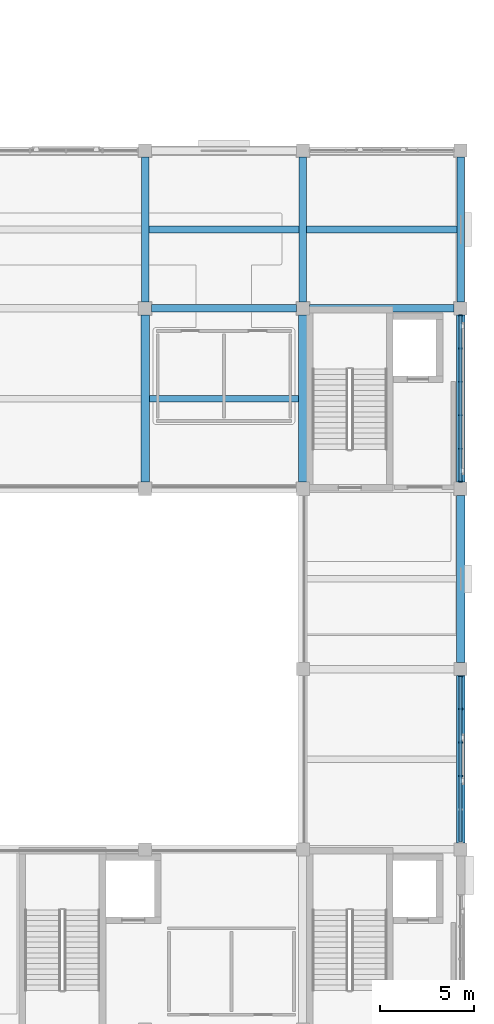
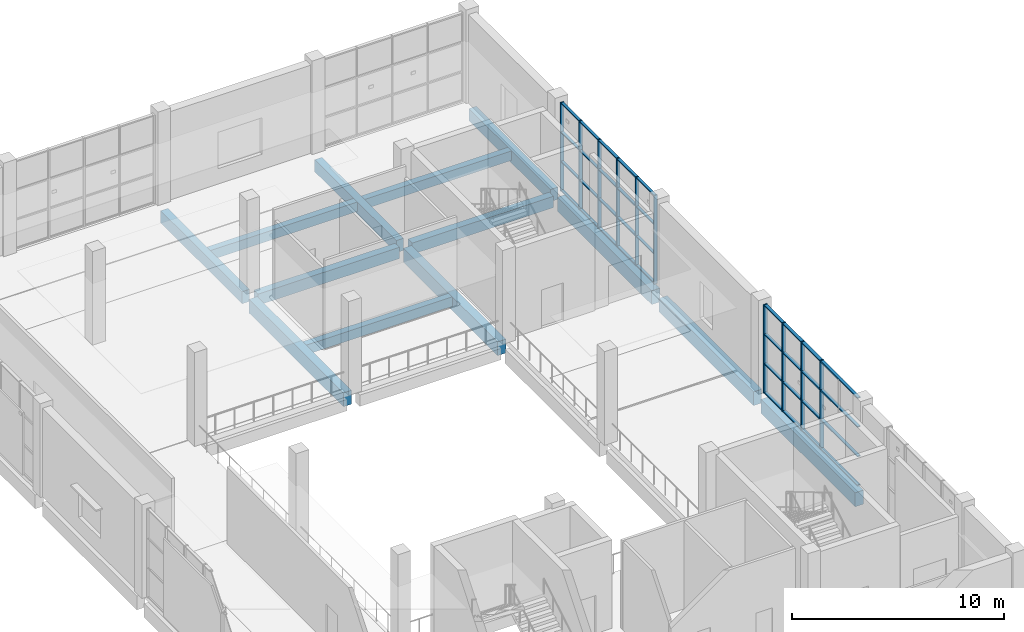
# One storey, part 31 of 72: 18 members, 13 beams, 2 elements without a shape of their own.
"""IFC4 building model written with IfcOpenShell, lengths in metres."""

from ifc_helpers import new_model, si_unit, direction, frame, origin, origin_2d, place, context, subcontext, project, spatial, rectangle, extrude, material, material_profile, profile_set, type_object, element, aggregate, save


model = new_model("IFC4")

# Units and contexts
model_context = context("Model", 3, precision=1e-05, world=origin(), true_north=direction((0.0, 1.0)))
body_context = subcontext(model_context, "Body", "Model", "MODEL_VIEW")
ifc_project = project(units=[si_unit("LENGTHUNIT", "METRE"), si_unit("AREAUNIT", "SQUARE_METRE"), si_unit("VOLUMEUNIT", "CUBIC_METRE"), si_unit("PLANEANGLEUNIT", "RADIAN"), si_unit("MASSUNIT", "GRAM", prefix="KILO")], contexts=[model_context])

# Site, building, storey
site_placement = place(None, origin())
site = spatial("IfcSite", under=ifc_project, at=site_placement, CompositionType="ELEMENT")
building_placement = place(site_placement, origin())
building = spatial("IfcBuilding", under=site, at=building_placement, Name="Shalvenor Court Art Gallery", CompositionType="ELEMENT")
storey_placement = place(building_placement, frame((0.0, 0.0, 11.39990234375)))
storey = spatial("IfcBuildingStorey", under=building, at=storey_placement, Name="L02", CompositionType="ELEMENT", Elevation=11.39990234375)

# Beams
ifc_material_1 = material(Name="Concrete C40/50", Category="concrete")
ifc_material_profile_1 = material_profile(ifc_material_1, rectangle(XDim=0.449951171875, YDim=0.800048828125, at=origin_2d()), Name="RC 450x800")
ifc_profile_set_1 = profile_set([ifc_material_profile_1], Name="Concrete C40/50")
beam_type_1 = type_object("IfcBeamType", Name="B-03", PredefinedType="BEAM", material=ifc_profile_set_1)
for number, where, z_axis, x_axis, name in (
    (1, (159.60009765625, 79.550048828125, -0.719970703125), (0.0, 1.0, 0.0), (-1.0, 0.0, 0.0), "L02 Girder BM-L02-B-03-0783"),
    (2, (168.0, 79.550048828125, -0.719970703125), (0.0, 1.0, 0.0), (-1.0, 0.0, 0.0), "L02 Girder BM-L02-B-03-0789"),
    (3, (176.39990234375, 60.35009765625, -0.719970703125), (0.0, 1.0, 0.0), (-1.0, 0.0, 0.0), "L02 Girder BM-L02-B-03-0793"),
):
    element("IfcBeam", number, at=place(storey_placement, frame(where, z_axis=z_axis, x_axis=x_axis)), inside=storey, type_object=beam_type_1, Name=name, PredefinedType="BEAM", context=body_context, shape_type="SweptSolid", body=[
        extrude(rectangle(XDim=0.449951171875, YDim=0.800048828125, at=origin_2d()), origin(), (0.0, 0.0, 1.0), 8.89990234375),
    ])
beam_1_placement = place(storey_placement, frame((176.39990234375, 69.949951171875, -0.719970703125), z_axis=(0.0, 1.0, 0.0), x_axis=(-1.0, 0.0, 0.0)))
element("IfcBeam", 4, at=beam_1_placement, inside=storey, type_object=beam_type_1, Name="L02 Girder BM-L02-B-03-0794", PredefinedType="BEAM", context=body_context, shape_type="SweptSolid", body=[
    extrude(rectangle(XDim=0.449951171875, YDim=0.800048828125, at=origin_2d()), origin(), (0.0, 0.0, 1.0), 8.900146484375),
])
beam_2_placement = place(storey_placement, frame((176.39990234375, 79.550048828125, -0.719970703125), z_axis=(0.0, 1.0, 0.0), x_axis=(-1.0, 0.0, 0.0)))
element("IfcBeam", 5, at=beam_2_placement, inside=storey, type_object=beam_type_1, Name="L02 Girder BM-L02-B-03-0795", PredefinedType="BEAM", context=body_context, shape_type="SweptSolid", body=[
    extrude(rectangle(XDim=0.449951171875, YDim=0.800048828125, at=origin_2d()), origin(), (0.0, 0.0, 1.0), 8.89990234375),
])
ifc_material_2 = material(Name="Concrete C40/50", Category="concrete")
ifc_material_profile_2 = material_profile(ifc_material_2, rectangle(XDim=0.39990234375, YDim=0.699951171875, at=origin_2d()), Name="RC 400x700")
ifc_profile_set_2 = profile_set([ifc_material_profile_2], Name="Concrete C40/50")
beam_type_2 = type_object("IfcBeamType", Name="B-05", PredefinedType="BEAM", material=ifc_profile_set_2)
for number, where, z_axis, x_axis, name in (
    (6, (159.60009765625, 89.14990234375, -0.669921875), (0.0, 1.0, 0.0), (-1.0, 0.0, 0.0), "L02 Girder BM-L02-B-05-0784"),
    (7, (168.0, 89.14990234375, -0.669921875), (0.0, 1.0, 0.0), (-1.0, 0.0, 0.0), "L02 Girder BM-L02-B-05-0790"),
    (8, (176.39990234375, 89.14990234375, -0.669921875), (0.0, 1.0, 0.0), (-1.0, 0.0, 0.0), "L02 Girder BM-L02-B-05-0796"),
):
    element("IfcBeam", number, at=place(storey_placement, frame(where, z_axis=z_axis, x_axis=x_axis)), inside=storey, type_object=beam_type_2, Name=name, PredefinedType="BEAM", context=body_context, shape_type="SweptSolid", body=[
        extrude(rectangle(XDim=0.39990234375, YDim=0.699951171875, at=origin_2d()), origin(), (0.0, 0.0, 1.0), 7.7001953125),
    ])
ifc_material_3 = material(Name="Concrete C40/50", Category="concrete")
ifc_material_profile_3 = material_profile(ifc_material_3, rectangle(XDim=0.39990234375, YDim=0.64990234375, at=origin_2d()), Name="RC 400x650")
ifc_profile_set_3 = profile_set([ifc_material_profile_3], Name="Concrete C40/50")
beam_type_3 = type_object("IfcBeamType", Name="B-06", PredefinedType="BEAM", material=ifc_profile_set_3)
for number, where, z_axis, x_axis, name in (
    (9, (159.949951171875, 88.800048828125, -0.64501953125), (1.0, 0.0, 0.0), (0.0, 1.0, 0.0), "L02 Girder BM-L02-B-06-0869"),
    (10, (168.35009765625, 88.800048828125, -0.64501953125), (1.0, 0.0, 0.0), (0.0, 1.0, 0.0), "L02 Girder BM-L02-B-06-0870"),
):
    element("IfcBeam", number, at=place(storey_placement, frame(where, z_axis=z_axis, x_axis=x_axis)), inside=storey, type_object=beam_type_3, Name=name, PredefinedType="BEAM", context=body_context, shape_type="SweptSolid", body=[
        extrude(rectangle(XDim=0.39990234375, YDim=0.64990234375, at=origin_2d()), origin(), (0.0, 0.0, 1.0), 7.699951171875),
    ])

# Curtain wall, members
ifc_material_4 = material(Name="Anodised aluminium and low-iron glass curtain wall", Category="aluminium")
curtain_wall_type_1 = type_object("IfcCurtainWallType", Name="CW-5x3-89-51-112", PredefinedType="USERDEFINED", material=ifc_material_4)
curtain_wall_1_placement = place(storey_placement, origin())
curtain_wall_1 = element("IfcCurtainWall", 11, at=curtain_wall_1_placement, inside=storey, type_object=curtain_wall_type_1, Name="L02 V1 Curtain Wall CW-L02-012", ObjectType="CURTAIN WALL", PredefinedType="USERDEFINED")
ifc_material_5 = material(Name="Anodised aluminium mullion", Category="aluminium")
ifc_material_profile_4 = material_profile(ifc_material_5, rectangle(XDim=0.06494140625, YDim=0.179931640625, at=origin_2d()), Name="CWM-01")
ifc_profile_set_4 = profile_set([ifc_material_profile_4], Name="Anodised aluminium mullion")
member_type_1 = type_object("IfcMemberType", Name="CWM-01", PredefinedType="MULLION", material=ifc_profile_set_4)
member_1_placement = place(storey_placement, frame((176.39990234375, 88.41748046875, 0.0), z_axis=(0.0, 0.0, 1.0), x_axis=(0.0, -1.0, 0.0)))
member_1 = element("IfcMember", 12, at=member_1_placement, type_object=member_type_1, Name="CW-5x3-89-51-112 mullion 1", PredefinedType="MULLION", context=body_context, shape_type="SweptSolid", body=[
    extrude(rectangle(XDim=0.06494140625, YDim=0.179931640625, at=origin_2d()), origin(), (0.0, 0.0, 1.0), 5.10009765625),
])
member_2_placement = place(storey_placement, frame((176.39990234375, 86.669921875, 0.0), z_axis=(0.0, 0.0, 1.0), x_axis=(0.0, -1.0, 0.0)))
member_2 = element("IfcMember", 13, at=member_2_placement, type_object=member_type_1, Name="CW-5x3-89-51-112 mullion 2", PredefinedType="MULLION", context=body_context, shape_type="SweptSolid", body=[
    extrude(rectangle(XDim=0.06494140625, YDim=0.179931640625, at=origin_2d()), origin(), (0.0, 0.0, 1.0), 5.10009765625),
])
member_3_placement = place(storey_placement, frame((176.39990234375, 84.889892578125, 0.0), z_axis=(0.0, 0.0, 1.0), x_axis=(0.0, -1.0, 0.0)))
member_3 = element("IfcMember", 14, at=member_3_placement, type_object=member_type_1, Name="CW-5x3-89-51-112 mullion 3", PredefinedType="MULLION", context=body_context, shape_type="SweptSolid", body=[
    extrude(rectangle(XDim=0.06494140625, YDim=0.179931640625, at=origin_2d()), origin(), (0.0, 0.0, 1.0), 5.10009765625),
])
member_4_placement = place(storey_placement, frame((176.39990234375, 83.110107421875, 0.0), z_axis=(0.0, 0.0, 1.0), x_axis=(0.0, -1.0, 0.0)))
member_4 = element("IfcMember", 15, at=member_4_placement, type_object=member_type_1, Name="CW-5x3-89-51-112 mullion 4", PredefinedType="MULLION", context=body_context, shape_type="SweptSolid", body=[
    extrude(rectangle(XDim=0.06494140625, YDim=0.179931640625, at=origin_2d()), origin(), (0.0, 0.0, 1.0), 5.10009765625),
])
member_5_placement = place(storey_placement, frame((176.39990234375, 81.330078125, 0.0), z_axis=(0.0, 0.0, 1.0), x_axis=(0.0, -1.0, 0.0)))
member_5 = element("IfcMember", 16, at=member_5_placement, type_object=member_type_1, Name="CW-5x3-89-51-112 mullion 5", PredefinedType="MULLION", context=body_context, shape_type="SweptSolid", body=[
    extrude(rectangle(XDim=0.06494140625, YDim=0.179931640625, at=origin_2d()), origin(), (0.0, 0.0, 1.0), 5.10009765625),
])
member_6_placement = place(storey_placement, frame((176.39990234375, 79.58251953125, 0.0), z_axis=(0.0, 0.0, 1.0), x_axis=(0.0, -1.0, 0.0)))
member_6 = element("IfcMember", 17, at=member_6_placement, type_object=member_type_1, Name="CW-5x3-89-51-112 mullion 6", PredefinedType="MULLION", context=body_context, shape_type="SweptSolid", body=[
    extrude(rectangle(XDim=0.06494140625, YDim=0.179931640625, at=origin_2d()), origin(), (0.0, 0.0, 1.0), 5.10009765625),
])

ifc_material_6 = material(Name="Anodised aluminium and low-iron glass curtain wall", Category="aluminium")
curtain_wall_type_2 = type_object("IfcCurtainWallType", Name="CW-5x3-89-51-222", PredefinedType="USERDEFINED", material=ifc_material_6)
curtain_wall_2_placement = place(storey_placement, origin())
curtain_wall_2 = element("IfcCurtainWall", 18, at=curtain_wall_2_placement, inside=storey, type_object=curtain_wall_type_2, Name="L02 V1 Curtain Wall CW-L02-013", ObjectType="CURTAIN WALL", PredefinedType="USERDEFINED")
ifc_material_7 = material(Name="Anodised aluminium mullion", Category="aluminium")
ifc_material_profile_5 = material_profile(ifc_material_7, rectangle(XDim=0.070068359375, YDim=0.199951171875, at=origin_2d()), Name="CWM-02")
ifc_profile_set_5 = profile_set([ifc_material_profile_5], Name="Anodised aluminium mullion")
member_type_2 = type_object("IfcMemberType", Name="CWM-02", PredefinedType="MULLION", material=ifc_profile_set_5)
member_7_placement = place(storey_placement, frame((176.39990234375, 69.215087890625, 0.0), z_axis=(0.0, 0.0, 1.0), x_axis=(0.0, -1.0, 0.0)))
member_7 = element("IfcMember", 19, at=member_7_placement, type_object=member_type_2, Name="CW-5x3-89-51-222 mullion 1", PredefinedType="MULLION", context=body_context, shape_type="SweptSolid", body=[
    extrude(rectangle(XDim=0.070068359375, YDim=0.199951171875, at=origin_2d()), origin(), (0.0, 0.0, 1.0), 5.10009765625),
])
member_8_placement = place(storey_placement, frame((176.39990234375, 67.469970703125, 0.0), z_axis=(0.0, 0.0, 1.0), x_axis=(0.0, -1.0, 0.0)))
member_8 = element("IfcMember", 20, at=member_8_placement, type_object=member_type_2, Name="CW-5x3-89-51-222 mullion 2", PredefinedType="MULLION", context=body_context, shape_type="SweptSolid", body=[
    extrude(rectangle(XDim=0.070068359375, YDim=0.199951171875, at=origin_2d()), origin(), (0.0, 0.0, 1.0), 5.10009765625),
])
member_9_placement = place(storey_placement, frame((176.39990234375, 65.68994140625, 0.0), z_axis=(0.0, 0.0, 1.0), x_axis=(0.0, -1.0, 0.0)))
member_9 = element("IfcMember", 21, at=member_9_placement, type_object=member_type_2, Name="CW-5x3-89-51-222 mullion 3", PredefinedType="MULLION", context=body_context, shape_type="SweptSolid", body=[
    extrude(rectangle(XDim=0.070068359375, YDim=0.199951171875, at=origin_2d()), origin(), (0.0, 0.0, 1.0), 5.10009765625),
])
member_10_placement = place(storey_placement, frame((176.39990234375, 63.909912109375, 0.0), z_axis=(0.0, 0.0, 1.0), x_axis=(0.0, -1.0, 0.0)))
member_10 = element("IfcMember", 22, at=member_10_placement, type_object=member_type_2, Name="CW-5x3-89-51-222 mullion 4", PredefinedType="MULLION", context=body_context, shape_type="SweptSolid", body=[
    extrude(rectangle(XDim=0.070068359375, YDim=0.199951171875, at=origin_2d()), origin(), (0.0, 0.0, 1.0), 5.10009765625),
])

# Member
ifc_material_8 = material(Name="Anodised aluminium transom", Category="aluminium")
ifc_material_profile_6 = material_profile(ifc_material_8, rectangle(XDim=0.14990234375, YDim=0.06005859375, at=origin_2d()), Name="CWT-01")
ifc_profile_set_6 = profile_set([ifc_material_profile_6], Name="Anodised aluminium transom")
member_type_3 = type_object("IfcMemberType", Name="CWT-01", PredefinedType="USERDEFINED", material=ifc_profile_set_6)
member_11_placement = place(storey_placement, frame((176.39990234375, 88.41748046875, 0.030029296875), z_axis=(0.0, -1.0, 0.0), x_axis=(1.0, 0.0, 0.0)))
member_11 = element("IfcMember", 23, at=member_11_placement, type_object=member_type_3, Name="CW-5x3-89-51-112 transom 1", ObjectType="TRANSOM", PredefinedType="USERDEFINED", context=body_context, shape_type="SweptSolid", body=[
    extrude(rectangle(XDim=0.14990234375, YDim=0.06005859375, at=origin_2d()), origin(), (0.0, 0.0, 1.0), 8.8349609375),
])

member_12_placement = place(storey_placement, frame((176.39990234375, 88.41748046875, 1.7001953125), z_axis=(0.0, -1.0, 0.0), x_axis=(1.0, 0.0, 0.0)))
member_12 = element("IfcMember", 24, at=member_12_placement, type_object=member_type_3, Name="CW-5x3-89-51-112 transom 2", ObjectType="TRANSOM", PredefinedType="USERDEFINED", context=body_context, shape_type="SweptSolid", body=[
    extrude(rectangle(XDim=0.14990234375, YDim=0.06005859375, at=origin_2d()), origin(), (0.0, 0.0, 1.0), 8.8349609375),
])

member_13_placement = place(storey_placement, frame((176.39990234375, 88.41748046875, 3.400146484375), z_axis=(0.0, -1.0, 0.0), x_axis=(1.0, 0.0, 0.0)))
member_13 = element("IfcMember", 25, at=member_13_placement, type_object=member_type_3, Name="CW-5x3-89-51-112 transom 3", ObjectType="TRANSOM", PredefinedType="USERDEFINED", context=body_context, shape_type="SweptSolid", body=[
    extrude(rectangle(XDim=0.14990234375, YDim=0.06005859375, at=origin_2d()), origin(), (0.0, 0.0, 1.0), 8.8349609375),
])

member_14_placement = place(storey_placement, frame((176.39990234375, 88.41748046875, 5.070068359375), z_axis=(0.0, -1.0, 0.0), x_axis=(1.0, 0.0, 0.0)))
member_14 = element("IfcMember", 26, at=member_14_placement, type_object=member_type_3, Name="CW-5x3-89-51-112 transom 4", ObjectType="TRANSOM", PredefinedType="USERDEFINED", context=body_context, shape_type="SweptSolid", body=[
    extrude(rectangle(XDim=0.14990234375, YDim=0.06005859375, at=origin_2d()), origin(), (0.0, 0.0, 1.0), 8.8349609375),
])

aggregate(curtain_wall_1, [member_1, member_2, member_3, member_4, member_5, member_6, member_11, member_12, member_13, member_14])

ifc_material_9 = material(Name="Anodised aluminium transom", Category="aluminium")
ifc_material_profile_7 = material_profile(ifc_material_9, rectangle(XDim=0.169921875, YDim=0.06494140625, at=origin_2d()), Name="CWT-02")
ifc_profile_set_7 = profile_set([ifc_material_profile_7], Name="Anodised aluminium transom")
member_type_4 = type_object("IfcMemberType", Name="CWT-02", PredefinedType="USERDEFINED", material=ifc_profile_set_7)
member_15_placement = place(storey_placement, frame((176.39990234375, 69.215087890625, 0.03271484375), z_axis=(0.0, -1.0, 0.0), x_axis=(1.0, 0.0, 0.0)))
member_15 = element("IfcMember", 27, at=member_15_placement, type_object=member_type_4, Name="CW-5x3-89-51-222 transom 1", ObjectType="TRANSOM", PredefinedType="USERDEFINED", context=body_context, shape_type="SweptSolid", body=[
    extrude(rectangle(XDim=0.169921875, YDim=0.06494140625, at=origin_2d()), origin(), (0.0, 0.0, 1.0), 8.830078125),
])

member_16_placement = place(storey_placement, frame((176.39990234375, 69.215087890625, 1.7001953125), z_axis=(0.0, -1.0, 0.0), x_axis=(1.0, 0.0, 0.0)))
member_16 = element("IfcMember", 28, at=member_16_placement, type_object=member_type_4, Name="CW-5x3-89-51-222 transom 2", ObjectType="TRANSOM", PredefinedType="USERDEFINED", context=body_context, shape_type="SweptSolid", body=[
    extrude(rectangle(XDim=0.169921875, YDim=0.06494140625, at=origin_2d()), origin(), (0.0, 0.0, 1.0), 8.830078125),
])

member_17_placement = place(storey_placement, frame((176.39990234375, 69.215087890625, 3.400146484375), z_axis=(0.0, -1.0, 0.0), x_axis=(1.0, 0.0, 0.0)))
member_17 = element("IfcMember", 29, at=member_17_placement, type_object=member_type_4, Name="CW-5x3-89-51-222 transom 3", ObjectType="TRANSOM", PredefinedType="USERDEFINED", context=body_context, shape_type="SweptSolid", body=[
    extrude(rectangle(XDim=0.169921875, YDim=0.06494140625, at=origin_2d()), origin(), (0.0, 0.0, 1.0), 8.830078125),
])

member_18_placement = place(storey_placement, frame((176.39990234375, 69.215087890625, 5.067626953125), z_axis=(0.0, -1.0, 0.0), x_axis=(1.0, 0.0, 0.0)))
member_18 = element("IfcMember", 30, at=member_18_placement, type_object=member_type_4, Name="CW-5x3-89-51-222 transom 4", ObjectType="TRANSOM", PredefinedType="USERDEFINED", context=body_context, shape_type="SweptSolid", body=[
    extrude(rectangle(XDim=0.169921875, YDim=0.06494140625, at=origin_2d()), origin(), (0.0, 0.0, 1.0), 8.830078125),
])

aggregate(curtain_wall_2, [member_7, member_8, member_9, member_10, member_15, member_16, member_17, member_18])

# Beams
ifc_material_10 = material(Name="Concrete C40/50", Category="concrete")
ifc_material_profile_8 = material_profile(ifc_material_10, rectangle(XDim=0.35009765625, YDim=0.550048828125, at=origin_2d()), Name="RC 350x550")
ifc_profile_set_8 = profile_set([ifc_material_profile_8], Name="Concrete C40/50")
beam_type_4 = type_object("IfcBeamType", Name="J-02", PredefinedType="JOIST", material=ifc_profile_set_8)
beam_3_placement = place(storey_placement, frame((159.824951171875, 84.0, -0.594970703125), z_axis=(1.0, 0.0, 0.0), x_axis=(0.0, 1.0, 0.0)))
element("IfcBeam", 31, at=beam_3_placement, inside=storey, type_object=beam_type_4, Name="L02 Secondary Beam JST-L02-J-02-0959", PredefinedType="JOIST", context=body_context, shape_type="SweptSolid", body=[
    extrude(rectangle(XDim=0.35009765625, YDim=0.550048828125, at=origin_2d()), origin(), (0.0, 0.0, 1.0), 7.949951171875),
])
for number, where, z_axis, x_axis, name in (
    (32, (159.800048828125, 93.0, -0.594970703125), (1.0, 0.0, 0.0), (0.0, 1.0, 0.0), "L02 Secondary Beam JST-L02-J-02-0960"),
    (33, (168.199951171875, 93.0, -0.594970703125), (1.0, 0.0, 0.0), (0.0, 1.0, 0.0), "L02 Secondary Beam JST-L02-J-02-0964"),
):
    element("IfcBeam", number, at=place(storey_placement, frame(where, z_axis=z_axis, x_axis=x_axis)), inside=storey, type_object=beam_type_4, Name=name, PredefinedType="JOIST", context=body_context, shape_type="SweptSolid", body=[
        extrude(rectangle(XDim=0.35009765625, YDim=0.550048828125, at=origin_2d()), origin(), (0.0, 0.0, 1.0), 8.0),
    ])

save(model, "model.ifc")
